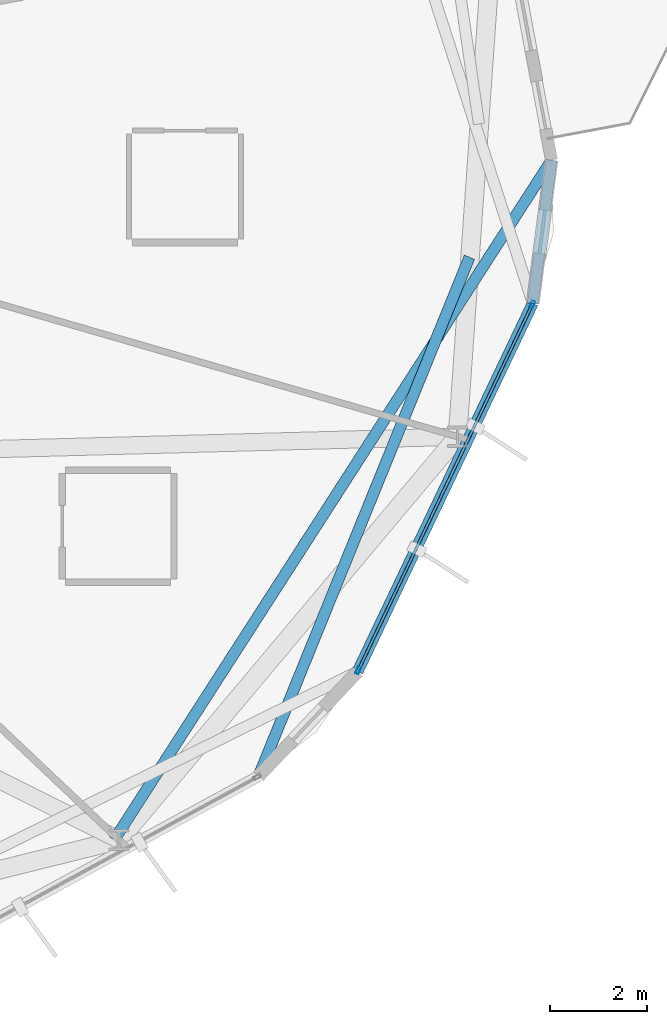
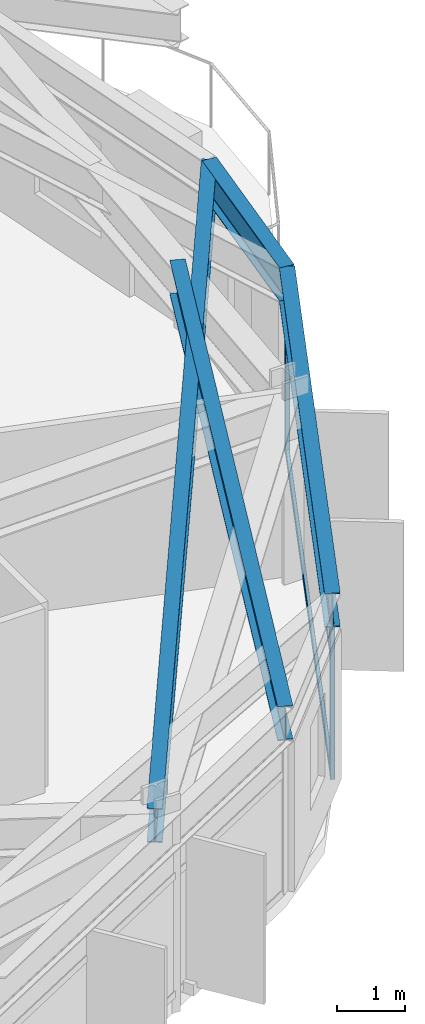
# One storey, part 10 of 23: 5 members, 4 beams, 1 element without a shape of its own.
"""IFC4 building model written with IfcOpenShell, lengths in metres."""

from ifc_helpers import new_model, si_unit, direction, frame, origin, origin_2d, place, context, subcontext, project, spatial, hollow_rectangle, i_section, extrude, material, layer, layer_set, material_profile, profile_set, type_object, element, aggregate, save


model = new_model("IFC4")

# Units and contexts
model_context = context("Model", 3, precision=1e-05, world=origin(), true_north=direction((0.0, 1.0)))
body_context = subcontext(model_context, "Body", "Model", "MODEL_VIEW")
ifc_project = project(units=[si_unit("LENGTHUNIT", "METRE"), si_unit("AREAUNIT", "SQUARE_METRE"), si_unit("VOLUMEUNIT", "CUBIC_METRE"), si_unit("PLANEANGLEUNIT", "RADIAN"), si_unit("MASSUNIT", "GRAM", prefix="KILO")], contexts=[model_context])

# Site, building, storey
site_placement = place(None, origin())
site = spatial("IfcSite", under=ifc_project, at=site_placement, CompositionType="ELEMENT")
building_placement = place(site_placement, origin())
building = spatial("IfcBuilding", under=site, at=building_placement, Name="Soratama Intermodal Tower", CompositionType="ELEMENT")
storey_placement = place(building_placement, frame((0.0, 0.0, 139.0)))
storey = spatial("IfcBuildingStorey", under=building, at=storey_placement, Name="L33", CompositionType="ELEMENT", Elevation=139.0)

# Beams
ifc_material_1 = material(Name="Structural steel ASTM A992 Grade 50", Category="steel")
ifc_material_profile_1 = material_profile(ifc_material_1, i_section(OverallWidth=0.22900390625, OverallDepth=0.612060546875, WebThickness=0.011962890625, FlangeThickness=0.01953125, FilletRadius=0.012939453125, at=origin_2d()), Name="W24X84")
ifc_profile_set_1 = profile_set([ifc_material_profile_1], Name="Structural steel ASTM A992 Grade 50")
beam_type_1 = type_object("IfcBeamType", Name="BM-SPN-W24X84", PredefinedType="SPANDREL", material=ifc_profile_set_1)
beam_1_placement = place(storey_placement, frame((59.175048828125, 13.618896484375, 2.993896484375), z_axis=(0.429534159206, 0.903050611026, 0.0), x_axis=(-0.903050611026, 0.429534159206, 0.0)))
element("IfcBeam", 1, at=beam_1_placement, inside=storey, type_object=beam_type_1, Name="BS-L33-F09", PredefinedType="SPANDREL", context=body_context, shape_type="SweptSolid", body=[
    extrude(i_section(OverallWidth=0.22900390625, OverallDepth=0.612060546875, WebThickness=0.011962890625, FlangeThickness=0.01953125, FilletRadius=0.012939453125, at=origin_2d()), origin(), (0.0, 0.0, 1.0), 8.376220703125),
])
beam_2_placement = place(storey_placement, frame((62.77294921875, 21.18310546875, 2.993896484375), z_axis=(0.129764825667, 0.991544799805, 0.0), x_axis=(-0.991544799805, 0.129764825667, 0.0)))
element("IfcBeam", 2, at=beam_2_placement, inside=storey, type_object=beam_type_1, Name="BS-L33-CRN09", PredefinedType="SPANDREL", context=body_context, shape_type="SweptSolid", body=[
    extrude(i_section(OverallWidth=0.22900390625, OverallDepth=0.612060546875, WebThickness=0.011962890625, FlangeThickness=0.01953125, FilletRadius=0.012939453125, at=origin_2d()), origin(), (0.0, 0.0, 1.0), 2.967041015625),
])
ifc_material_2 = material(Name="Structural steel ASTM A992 Grade 50", Category="steel")
ifc_material_profile_2 = material_profile(ifc_material_2, i_section(OverallWidth=0.22900390625, OverallDepth=0.612060546875, WebThickness=0.011962890625, FlangeThickness=0.01953125, FilletRadius=0.012939453125, at=origin_2d()), Name="W24X84")
ifc_profile_set_2 = profile_set([ifc_material_profile_2], Name="Structural steel ASTM A992 Grade 50")
beam_type_2 = type_object("IfcBeamType", Name="BM-TIE-W24X84", PredefinedType="BEAM", material=ifc_profile_set_2)
beam_3_placement = place(storey_placement, frame((61.470947265625, 22.131103515625, 2.993896484375), z_axis=(-0.376518101963, -0.926409261015, 0.0), x_axis=(0.926409261015, -0.376518101963, 0.0)))
element("IfcBeam", 3, at=beam_3_placement, inside=storey, type_object=beam_type_2, Name="BM-L33-TIE1-08", PredefinedType="BEAM", context=body_context, shape_type="SweptSolid", body=[
    extrude(i_section(OverallWidth=0.22900390625, OverallDepth=0.612060546875, WebThickness=0.011962890625, FlangeThickness=0.01953125, FilletRadius=0.012939453125, at=origin_2d()), origin(), (0.0, 0.0, 1.0), 11.51318359375),
])
beam_4_placement = place(storey_placement, frame((54.173095703125, 10.162109375, 2.993896484375), z_axis=(0.541129114637, 0.840939522969, 0.0), x_axis=(-0.840939522969, 0.541129114637, 0.0)))
element("IfcBeam", 4, at=beam_4_placement, inside=storey, type_object=beam_type_2, Name="BM-L33-TIE0-10", PredefinedType="BEAM", context=body_context, shape_type="SweptSolid", body=[
    extrude(i_section(OverallWidth=0.22900390625, OverallDepth=0.612060546875, WebThickness=0.011962890625, FlangeThickness=0.01953125, FilletRadius=0.012939453125, at=origin_2d()), origin(), (0.0, 0.0, 1.0), 16.60400390625),
])

# Curtain wall, members
ifc_material_3 = material(Name="Double-glazed aluminium curtain wall", Category="aluminium")
ifc_layer = layer(ifc_material_3, 0.159912109375)
ifc_layer_set = layer_set([ifc_layer], Name="Double-glazed aluminium curtain wall")
curtain_wall_type = type_object("IfcCurtainWallType", Name="CW-SYS-4", PredefinedType="NOTDEFINED", material=ifc_layer_set)
curtain_wall_placement = place(storey_placement, origin())
curtain_wall = element("IfcCurtainWall", 5, at=curtain_wall_placement, inside=storey, type_object=curtain_wall_type, Name="L33 Faceted Curtain Wall F09", PredefinedType="NOTDEFINED")
ifc_material_4 = material(Name="Anodised aluminium AA 6063-T6", Category="aluminium")
ifc_material_profile_3 = material_profile(ifc_material_4, hollow_rectangle(XDim=0.070068359375, YDim=0.159912109375, WallThickness=0.0048828125, InnerFilletRadius=0.0048828125, OuterFilletRadius=0.010009765625, at=origin_2d()), Name="CWM160X70X5")
ifc_profile_set_3 = profile_set([ifc_material_profile_3], Name="Anodised aluminium AA 6063-T6")
member_type_1 = type_object("IfcMemberType", Name="MT-CWM-4", PredefinedType="MULLION", material=ifc_profile_set_3)
member_1_placement = place(storey_placement, frame((59.188232421875, 13.646240234375, 0.0), z_axis=(0.0, 0.0, 1.0), x_axis=(-0.903036763649, 0.429563270658, 0.0)))
member_1 = element("IfcMember", 6, at=member_1_placement, type_object=member_type_1, Name="CW-4 mullion 1", PredefinedType="MULLION", context=body_context, shape_type="SweptSolid", body=[
    extrude(hollow_rectangle(XDim=0.070068359375, YDim=0.159912109375, WallThickness=0.0048828125, InnerFilletRadius=0.0048828125, OuterFilletRadius=0.010009765625, at=origin_2d()), origin(), (0.0, 0.0, 1.0), 2.678955078125),
])
member_2_placement = place(storey_placement, frame((62.760498046875, 21.156005859375, 0.0), z_axis=(0.0, 0.0, 1.0), x_axis=(-0.903036763649, 0.429563270658, 0.0)))
member_2 = element("IfcMember", 7, at=member_2_placement, type_object=member_type_1, Name="CW-4 mullion 2", PredefinedType="MULLION", context=body_context, shape_type="SweptSolid", body=[
    extrude(hollow_rectangle(XDim=0.070068359375, YDim=0.159912109375, WallThickness=0.0048828125, InnerFilletRadius=0.0048828125, OuterFilletRadius=0.010009765625, at=origin_2d()), origin(), (0.0, 0.0, 1.0), 2.678955078125),
])
ifc_material_5 = material(Name="Anodised aluminium AA 6063-T6", Category="aluminium")
ifc_material_profile_4 = material_profile(ifc_material_5, hollow_rectangle(XDim=0.06005859375, YDim=0.1298828125, WallThickness=0.0048828125, InnerFilletRadius=0.0048828125, OuterFilletRadius=0.010009765625, at=origin_2d()), Name="CWT130X60X5")
ifc_profile_set_4 = profile_set([ifc_material_profile_4], Name="Anodised aluminium AA 6063-T6")
member_type_2 = type_object("IfcMemberType", Name="TT-CWT-2", PredefinedType="USERDEFINED", material=ifc_profile_set_4)
member_3_placement = place(storey_placement, frame((59.201171875, 13.67333984375, 0.030029296875), z_axis=(0.429550155553, 0.903043002223, 0.0), x_axis=(-0.903043002223, 0.429550155553, 0.0)))
member_3 = element("IfcMember", 8, at=member_3_placement, type_object=member_type_2, Name="CW-4 transom 1.1", ObjectType="TRANSOM", PredefinedType="USERDEFINED", context=body_context, shape_type="SweptSolid", body=[
    extrude(hollow_rectangle(XDim=0.06005859375, YDim=0.1298828125, WallThickness=0.0048828125, InnerFilletRadius=0.0048828125, OuterFilletRadius=0.010009765625, at=origin_2d()), origin(), (0.0, 0.0, 1.0), 8.256103515625),
])
member_4_placement = place(storey_placement, frame((59.201171875, 13.67333984375, 2.14990234375), z_axis=(0.429550155553, 0.903043002223, 0.0), x_axis=(-0.903043002223, 0.429550155553, 0.0)))
member_4 = element("IfcMember", 9, at=member_4_placement, type_object=member_type_2, Name="CW-4 transom 1.2", ObjectType="TRANSOM", PredefinedType="USERDEFINED", context=body_context, shape_type="SweptSolid", body=[
    extrude(hollow_rectangle(XDim=0.06005859375, YDim=0.1298828125, WallThickness=0.0048828125, InnerFilletRadius=0.0048828125, OuterFilletRadius=0.010009765625, at=origin_2d()), origin(), (0.0, 0.0, 1.0), 8.256103515625),
])
member_5_placement = place(storey_placement, frame((59.201171875, 13.67333984375, 2.64892578125), z_axis=(0.429550155553, 0.903043002223, 0.0), x_axis=(-0.903043002223, 0.429550155553, 0.0)))
member_5 = element("IfcMember", 10, at=member_5_placement, type_object=member_type_2, Name="CW-4 transom 1.3", ObjectType="TRANSOM", PredefinedType="USERDEFINED", context=body_context, shape_type="SweptSolid", body=[
    extrude(hollow_rectangle(XDim=0.06005859375, YDim=0.1298828125, WallThickness=0.0048828125, InnerFilletRadius=0.0048828125, OuterFilletRadius=0.010009765625, at=origin_2d()), origin(), (0.0, 0.0, 1.0), 8.256103515625),
])
aggregate(curtain_wall, [member_1, member_2, member_3, member_4, member_5])

save(model, "model.ifc")
